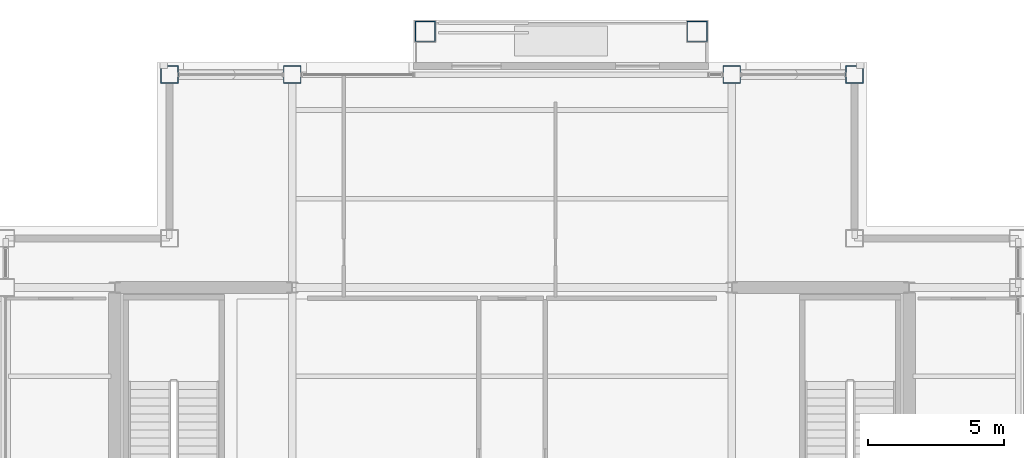
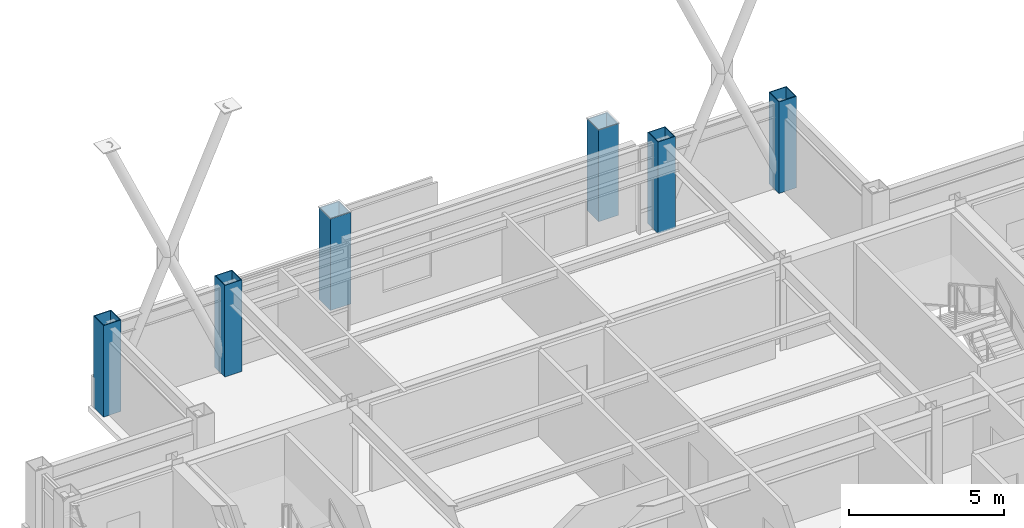
# One storey, part 2 of 28: 6 columns.
"""IFC4 building model written with IfcOpenShell, lengths in metres."""

from ifc_helpers import new_model, si_unit, direction, frame, origin, origin_2d, place, context, subcontext, project, spatial, hollow_rectangle, extrude, material, material_profile, profile_set, type_object, element, save


model = new_model("IFC4")

# Units and contexts
model_context = context("Model", 3, precision=1e-05, world=origin(), true_north=direction((0.0, 1.0)))
body_context = subcontext(model_context, "Body", "Model", "MODEL_VIEW")
ifc_project = project(units=[si_unit("LENGTHUNIT", "METRE"), si_unit("AREAUNIT", "SQUARE_METRE"), si_unit("VOLUMEUNIT", "CUBIC_METRE"), si_unit("PLANEANGLEUNIT", "RADIAN"), si_unit("MASSUNIT", "GRAM", prefix="KILO")], contexts=[model_context])

# Site, building, storey
site_placement = place(None, origin())
site = spatial("IfcSite", under=ifc_project, at=site_placement, CompositionType="ELEMENT")
building_placement = place(site_placement, origin())
building = spatial("IfcBuilding", under=site, at=building_placement, Name="Brelmoor Portico Tower", CompositionType="ELEMENT")
storey_placement = place(building_placement, frame((0.0, 0.0, 225.60009765625)))
storey = spatial("IfcBuildingStorey", under=building, at=storey_placement, Name="L59", CompositionType="ELEMENT", Elevation=225.60009765625)

# Columns
ifc_material = material(Name="Steel Q355B", Category="steel")
ifc_material_profile_1 = material_profile(ifc_material, hollow_rectangle(XDim=0.64990234375, YDim=0.64990234375, WallThickness=0.028076171875, at=origin_2d()), Name="BOX 650x650x28")
ifc_profile_set_1 = profile_set([ifc_material_profile_1], Name="Steel Q355B")
column_type_1 = type_object("IfcColumnType", Name="COL-MEGA-650", PredefinedType="COLUMN", material=ifc_profile_set_1)
for number, where, z_axis, x_axis, name in (
    (1, (-12.550048828125, 17.550048828125, 0.0), (0.0, 0.0, 1.0), (1.0, 0.0, 0.0), "L59 Perimeter Mega-Column PN01"),
    (2, (-8.050048828125, 17.550048828125, 0.0), (0.0, 0.0, 1.0), (1.0, 0.0, 0.0), "L59 Perimeter Mega-Column PN02"),
    (3, (8.050048828125, 17.550048828125, 0.0), (0.0, 0.0, 1.0), (1.0, 0.0, 0.0), "L59 Perimeter Mega-Column PN03"),
    (4, (12.550048828125, 17.550048828125, 0.0), (0.0, 0.0, 1.0), (1.0, 0.0, 0.0), "L59 Perimeter Mega-Column PN04"),
):
    element("IfcColumn", number, at=place(storey_placement, frame(where, z_axis=z_axis, x_axis=x_axis)), inside=storey, type_object=column_type_1, Name=name, PredefinedType="COLUMN", context=body_context, shape_type="SweptSolid", body=[
        extrude(hollow_rectangle(XDim=0.64990234375, YDim=0.64990234375, WallThickness=0.028076171875, at=origin_2d()), origin(), (0.0, 0.0, 1.0), 3.599853515625),
    ])
ifc_material_profile_2 = material_profile(ifc_material, hollow_rectangle(XDim=0.75, YDim=0.75, WallThickness=0.031982421875, at=origin_2d()), Name="BOX 750x750x32")
ifc_profile_set_2 = profile_set([ifc_material_profile_2], Name="Steel Q355B")
column_type_2 = type_object("IfcColumnType", Name="COL-MEGA-750", PredefinedType="COLUMN", material=ifc_profile_set_2)
for number, where, z_axis, x_axis, name in (
    (5, (-3.179931640625, 19.1298828125, 0.0), (0.0, 0.0, 1.0), (1.0, 0.0, 0.0), "L59 Proud Picture-Frame Pier PFJ-N1"),
    (6, (6.780029296875, 19.1298828125, 0.0), (0.0, 0.0, 1.0), (1.0, 0.0, 0.0), "L59 Proud Picture-Frame Pier PFJ-N2"),
):
    element("IfcColumn", number, at=place(storey_placement, frame(where, z_axis=z_axis, x_axis=x_axis)), inside=storey, type_object=column_type_2, Name=name, PredefinedType="COLUMN", context=body_context, shape_type="SweptSolid", body=[
        extrude(hollow_rectangle(XDim=0.75, YDim=0.75, WallThickness=0.031982421875, at=origin_2d()), origin(), (0.0, 0.0, 1.0), 3.599853515625),
    ])

save(model, "model.ifc")
